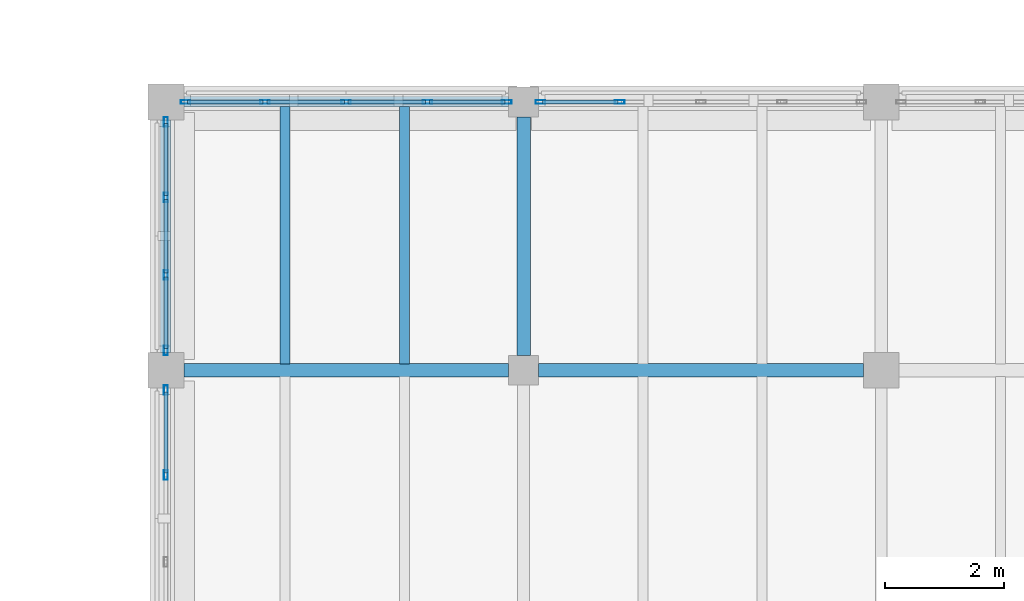
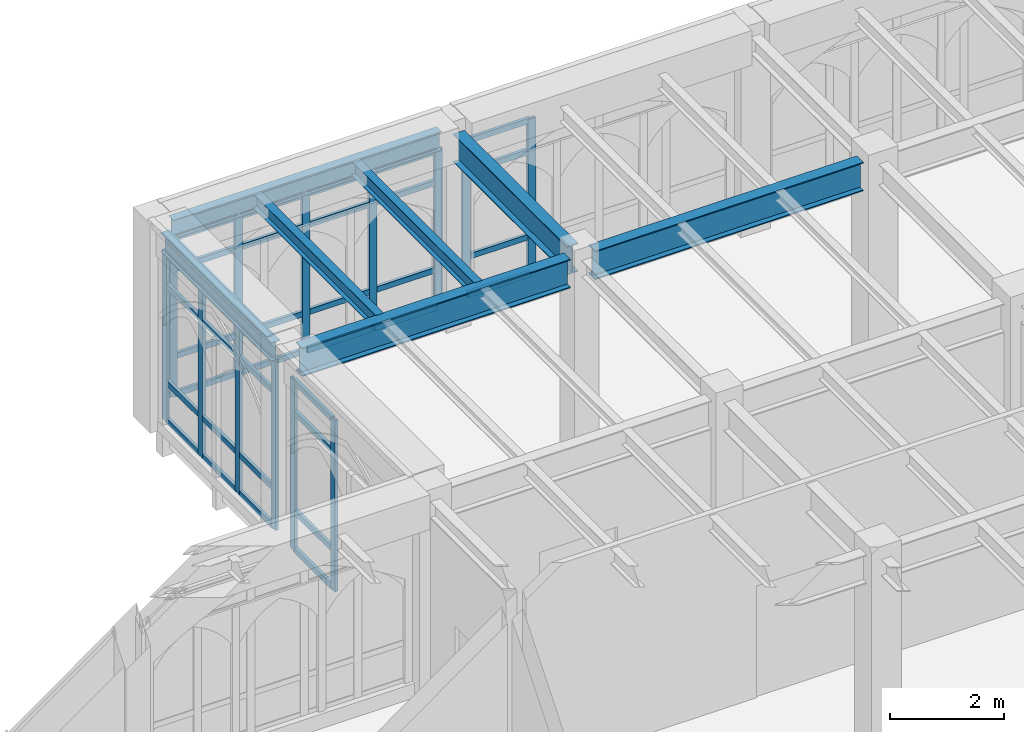
# One storey, part 33 of 143: 49 members, 7 beams, 4 elements without a shape of their own.
"""IFC4 building model written with IfcOpenShell, lengths in metres."""

from ifc_helpers import new_model, si_unit, direction, frame, origin, origin_2d, place, context, subcontext, project, spatial, hollow_rectangle, i_section, extrude, material, layer, layer_set, material_profile, profile_set, type_object, element, aggregate, save


model = new_model("IFC4")

# Units and contexts
model_context = context("Model", 3, precision=1e-05, world=origin(), true_north=direction((0.0, 1.0)))
body_context = subcontext(model_context, "Body", "Model", "MODEL_VIEW")
ifc_project = project(units=[si_unit("LENGTHUNIT", "METRE"), si_unit("AREAUNIT", "SQUARE_METRE"), si_unit("VOLUMEUNIT", "CUBIC_METRE"), si_unit("PLANEANGLEUNIT", "RADIAN"), si_unit("MASSUNIT", "GRAM", prefix="KILO")], contexts=[model_context])

# Site, building, storey
site_placement = place(None, origin())
site = spatial("IfcSite", under=ifc_project, at=site_placement, CompositionType="ELEMENT")
building_placement = place(site_placement, origin())
building = spatial("IfcBuilding", under=site, at=building_placement, Name="Cumevento Cable Car Station", CompositionType="ELEMENT")
storey_placement = place(building_placement, frame((0.0, 0.0, 9.0)))
storey = spatial("IfcBuildingStorey", under=building, at=storey_placement, Name="L03", CompositionType="ELEMENT", Elevation=9.0)

# Curtain wall, members
ifc_material_1 = material(Name="Anodised Bronze Aluminium AW-6063-T6", Category="aluminium")
ifc_layer_1 = layer(ifc_material_1, 0.18994140625)
ifc_layer_set_1 = layer_set([ifc_layer_1], Name="Anodised Bronze Aluminium AW-6063-T6")
curtain_wall_type_1 = type_object("IfcCurtainWallType", Name="Lancet Curtain Wall CW-06 1250", PredefinedType="NOTDEFINED", material=ifc_layer_set_1)
curtain_wall_1_placement = place(storey_placement, origin())
curtain_wall_1 = element("IfcCurtainWall", 1, at=curtain_wall_1_placement, inside=storey, type_object=curtain_wall_type_1, Name="Lancet Curtain Wall CW-06 L03 #117", PredefinedType="NOTDEFINED")
ifc_material_2 = material(Name="Anodised Bronze Aluminium AW-6063-T6", Category="aluminium")
ifc_material_profile_1 = material_profile(ifc_material_2, hollow_rectangle(XDim=0.06494140625, YDim=0.159912109375, WallThickness=0.00390625, at=origin_2d()), Name="ALUM65x160x4")
ifc_profile_set_1 = profile_set([ifc_material_profile_1], Name="Anodised Bronze Aluminium AW-6063-T6")
member_type_1 = type_object("IfcMemberType", Name="Curtain Mullion CWM-01 ALUM65x160x4", PredefinedType="MULLION", material=ifc_profile_set_1)
member_1_placement = place(storey_placement, frame((52.33251953125, 66.0, 0.409912109375), z_axis=(0.0, 0.0, 1.0), x_axis=(0.0, 1.0, 0.0)))
member_1 = element("IfcMember", 2, at=member_1_placement, type_object=member_type_1, Name="CW-06 mullion 1", PredefinedType="MULLION", context=body_context, shape_type="SweptSolid", body=[
    extrude(hollow_rectangle(XDim=0.06494140625, YDim=0.159912109375, WallThickness=0.00390625, at=origin_2d()), origin(), (0.0, 0.0, 1.0), 3.423095703125),
])
member_2_placement = place(storey_placement, frame((53.66259765625, 66.0, 0.409912109375), z_axis=(0.0, 0.0, 1.0), x_axis=(0.0, 1.0, 0.0)))
member_2 = element("IfcMember", 3, at=member_2_placement, type_object=member_type_1, Name="CW-06 mullion 2", PredefinedType="MULLION", context=body_context, shape_type="SweptSolid", body=[
    extrude(hollow_rectangle(XDim=0.06494140625, YDim=0.159912109375, WallThickness=0.00390625, at=origin_2d()), origin(), (0.0, 0.0, 1.0), 3.423095703125),
])
member_3_placement = place(storey_placement, frame((55.02490234375, 66.0, 0.409912109375), z_axis=(0.0, 0.0, 1.0), x_axis=(0.0, 1.0, 0.0)))
member_3 = element("IfcMember", 4, at=member_3_placement, type_object=member_type_1, Name="CW-06 mullion 3", PredefinedType="MULLION", context=body_context, shape_type="SweptSolid", body=[
    extrude(hollow_rectangle(XDim=0.06494140625, YDim=0.159912109375, WallThickness=0.00390625, at=origin_2d()), origin(), (0.0, 0.0, 1.0), 3.423095703125),
])
member_4_placement = place(storey_placement, frame((56.387451171875, 66.0, 0.409912109375), z_axis=(0.0, 0.0, 1.0), x_axis=(0.0, 1.0, 0.0)))
member_4 = element("IfcMember", 5, at=member_4_placement, type_object=member_type_1, Name="CW-06 mullion 4", PredefinedType="MULLION", context=body_context, shape_type="SweptSolid", body=[
    extrude(hollow_rectangle(XDim=0.06494140625, YDim=0.159912109375, WallThickness=0.00390625, at=origin_2d()), origin(), (0.0, 0.0, 1.0), 3.423095703125),
])
member_5_placement = place(storey_placement, frame((57.717529296875, 66.0, 0.409912109375), z_axis=(0.0, 0.0, 1.0), x_axis=(0.0, 1.0, 0.0)))
member_5 = element("IfcMember", 6, at=member_5_placement, type_object=member_type_1, Name="CW-06 mullion 5", PredefinedType="MULLION", context=body_context, shape_type="SweptSolid", body=[
    extrude(hollow_rectangle(XDim=0.06494140625, YDim=0.159912109375, WallThickness=0.00390625, at=origin_2d()), origin(), (0.0, 0.0, 1.0), 3.423095703125),
])

ifc_material_3 = material(Name="Anodised Bronze Aluminium AW-6063-T6", Category="aluminium")
ifc_layer_2 = layer(ifc_material_3, 0.196044921875)
ifc_layer_set_2 = layer_set([ifc_layer_2], Name="Anodised Bronze Aluminium AW-6063-T6")
curtain_wall_type_2 = type_object("IfcCurtainWallType", Name="Lancet Curtain Wall CW-07 1290", PredefinedType="NOTDEFINED", material=ifc_layer_set_2)
curtain_wall_2_placement = place(storey_placement, origin())
curtain_wall_2 = element("IfcCurtainWall", 7, at=curtain_wall_2_placement, inside=storey, type_object=curtain_wall_type_2, Name="Lancet Curtain Wall CW-07 L03 #118", PredefinedType="NOTDEFINED")
member_6_placement = place(storey_placement, frame((58.282470703125, 66.0, 0.4599609375), z_axis=(0.0, 0.0, 1.0), x_axis=(0.0, 1.0, 0.0)))
member_6 = element("IfcMember", 8, at=member_6_placement, type_object=member_type_1, Name="CW-07 mullion 1", PredefinedType="MULLION", context=body_context, shape_type="SweptSolid", body=[
    extrude(hollow_rectangle(XDim=0.06494140625, YDim=0.159912109375, WallThickness=0.00390625, at=origin_2d()), origin(), (0.0, 0.0, 1.0), 3.373046875),
])
member_7_placement = place(storey_placement, frame((59.612548828125, 66.0, 0.4599609375), z_axis=(0.0, 0.0, 1.0), x_axis=(0.0, 1.0, 0.0)))
member_7 = element("IfcMember", 9, at=member_7_placement, type_object=member_type_1, Name="CW-07 mullion 2", PredefinedType="MULLION", context=body_context, shape_type="SweptSolid", body=[
    extrude(hollow_rectangle(XDim=0.06494140625, YDim=0.159912109375, WallThickness=0.00390625, at=origin_2d()), origin(), (0.0, 0.0, 1.0), 3.373046875),
])

ifc_material_4 = material(Name="Anodised Bronze Aluminium AW-6063-T6", Category="aluminium")
ifc_layer_3 = layer(ifc_material_4, 0.2080078125)
ifc_layer_set_3 = layer_set([ifc_layer_3], Name="Anodised Bronze Aluminium AW-6063-T6")
curtain_wall_type_3 = type_object("IfcCurtainWallType", Name="Lancet Curtain Wall CW-09 1370", PredefinedType="NOTDEFINED", material=ifc_layer_set_3)
curtain_wall_3_placement = place(storey_placement, origin())
curtain_wall_3 = element("IfcCurtainWall", 10, at=curtain_wall_3_placement, inside=storey, type_object=curtain_wall_type_3, Name="Lancet Curtain Wall CW-09 L03 #120", PredefinedType="NOTDEFINED")
member_8_placement = place(storey_placement, frame((52.0, 59.74169921875, 0.159912109375), z_axis=(0.0, 0.0, 1.0), x_axis=(-1.0, 0.0, 0.0)))
member_8 = element("IfcMember", 11, at=member_8_placement, type_object=member_type_1, Name="CW-09 mullion 3", PredefinedType="MULLION", context=body_context, shape_type="SweptSolid", body=[
    extrude(hollow_rectangle(XDim=0.06494140625, YDim=0.159912109375, WallThickness=0.00390625, at=origin_2d()), origin(), (0.0, 0.0, 1.0), 3.673095703125),
])
member_9_placement = place(storey_placement, frame((52.0, 61.16748046875, 0.159912109375), z_axis=(0.0, 0.0, 1.0), x_axis=(-1.0, 0.0, 0.0)))
member_9 = element("IfcMember", 12, at=member_9_placement, type_object=member_type_1, Name="CW-09 mullion 4", PredefinedType="MULLION", context=body_context, shape_type="SweptSolid", body=[
    extrude(hollow_rectangle(XDim=0.06494140625, YDim=0.159912109375, WallThickness=0.00390625, at=origin_2d()), origin(), (0.0, 0.0, 1.0), 3.673095703125),
])

ifc_material_5 = material(Name="Anodised Bronze Aluminium AW-6063-T6", Category="aluminium")
ifc_layer_4 = layer(ifc_material_5, 0.214111328125)
ifc_layer_set_4 = layer_set([ifc_layer_4], Name="Anodised Bronze Aluminium AW-6063-T6")
curtain_wall_type_4 = type_object("IfcCurtainWallType", Name="Lancet Curtain Wall CW-10 1410", PredefinedType="NOTDEFINED", material=ifc_layer_set_4)
curtain_wall_4_placement = place(storey_placement, origin())
curtain_wall_4 = element("IfcCurtainWall", 13, at=curtain_wall_4_placement, inside=storey, type_object=curtain_wall_type_4, Name="Lancet Curtain Wall CW-10 L03 #121", PredefinedType="NOTDEFINED")
member_10_placement = place(storey_placement, frame((52.0, 61.83251953125, 0.2099609375), z_axis=(0.0, 0.0, 1.0), x_axis=(-1.0, 0.0, 0.0)))
member_10 = element("IfcMember", 14, at=member_10_placement, type_object=member_type_1, Name="CW-10 mullion 1", PredefinedType="MULLION", context=body_context, shape_type="SweptSolid", body=[
    extrude(hollow_rectangle(XDim=0.06494140625, YDim=0.159912109375, WallThickness=0.00390625, at=origin_2d()), origin(), (0.0, 0.0, 1.0), 3.623046875),
])
member_11_placement = place(storey_placement, frame((52.0, 63.10009765625, 0.2099609375), z_axis=(0.0, 0.0, 1.0), x_axis=(-1.0, 0.0, 0.0)))
member_11 = element("IfcMember", 15, at=member_11_placement, type_object=member_type_1, Name="CW-10 mullion 2", PredefinedType="MULLION", context=body_context, shape_type="SweptSolid", body=[
    extrude(hollow_rectangle(XDim=0.06494140625, YDim=0.159912109375, WallThickness=0.00390625, at=origin_2d()), origin(), (0.0, 0.0, 1.0), 3.623046875),
])
member_12_placement = place(storey_placement, frame((52.0, 64.39990234375, 0.2099609375), z_axis=(0.0, 0.0, 1.0), x_axis=(-1.0, 0.0, 0.0)))
member_12 = element("IfcMember", 16, at=member_12_placement, type_object=member_type_1, Name="CW-10 mullion 3", PredefinedType="MULLION", context=body_context, shape_type="SweptSolid", body=[
    extrude(hollow_rectangle(XDim=0.06494140625, YDim=0.159912109375, WallThickness=0.00390625, at=origin_2d()), origin(), (0.0, 0.0, 1.0), 3.623046875),
])
member_13_placement = place(storey_placement, frame((52.0, 65.66748046875, 0.2099609375), z_axis=(0.0, 0.0, 1.0), x_axis=(-1.0, 0.0, 0.0)))
member_13 = element("IfcMember", 17, at=member_13_placement, type_object=member_type_1, Name="CW-10 mullion 4", PredefinedType="MULLION", context=body_context, shape_type="SweptSolid", body=[
    extrude(hollow_rectangle(XDim=0.06494140625, YDim=0.159912109375, WallThickness=0.00390625, at=origin_2d()), origin(), (0.0, 0.0, 1.0), 3.623046875),
])

# Member
ifc_material_6 = material(Name="Anodised Bronze Aluminium AW-6063-T6", Category="aluminium")
ifc_material_profile_2 = material_profile(ifc_material_6, hollow_rectangle(XDim=0.06494140625, YDim=0.1201171875, WallThickness=0.00390625, at=origin_2d()), Name="ALUT65x120x4")
ifc_profile_set_2 = profile_set([ifc_material_profile_2], Name="Anodised Bronze Aluminium AW-6063-T6")
member_type_2 = type_object("IfcMemberType", Name="Curtain Transom CWT-01 ALUT65x120x4", PredefinedType="USERDEFINED", material=ifc_profile_set_2)
member_14_placement = place(storey_placement, frame((52.364990234375, 66.0, 0.4423828125), z_axis=(1.0, 0.0, 0.0), x_axis=(0.0, 1.0, 0.0)))
member_14 = element("IfcMember", 18, at=member_14_placement, type_object=member_type_2, Name="CW-06 transom 1.1", ObjectType="TRANSOM", PredefinedType="USERDEFINED", context=body_context, shape_type="SweptSolid", body=[
    extrude(hollow_rectangle(XDim=0.06494140625, YDim=0.1201171875, WallThickness=0.00390625, at=origin_2d()), origin(), (0.0, 0.0, 1.0), 1.264892578125),
])

member_15_placement = place(storey_placement, frame((52.364990234375, 66.0, 1.260009765625), z_axis=(1.0, 0.0, 0.0), x_axis=(0.0, 1.0, 0.0)))
member_15 = element("IfcMember", 19, at=member_15_placement, type_object=member_type_2, Name="CW-06 transom 1.2", ObjectType="TRANSOM", PredefinedType="USERDEFINED", context=body_context, shape_type="SweptSolid", body=[
    extrude(hollow_rectangle(XDim=0.06494140625, YDim=0.1201171875, WallThickness=0.00390625, at=origin_2d()), origin(), (0.0, 0.0, 1.0), 1.264892578125),
])

member_16_placement = place(storey_placement, frame((52.364990234375, 66.0, 3.133056640625), z_axis=(1.0, 0.0, 0.0), x_axis=(0.0, 1.0, 0.0)))
member_16 = element("IfcMember", 20, at=member_16_placement, type_object=member_type_2, Name="CW-06 transom 1.3", ObjectType="TRANSOM", PredefinedType="USERDEFINED", context=body_context, shape_type="SweptSolid", body=[
    extrude(hollow_rectangle(XDim=0.06494140625, YDim=0.1201171875, WallThickness=0.00390625, at=origin_2d()), origin(), (0.0, 0.0, 1.0), 1.264892578125),
])

member_17_placement = place(storey_placement, frame((52.364990234375, 66.0, 3.800537109375), z_axis=(1.0, 0.0, 0.0), x_axis=(0.0, 1.0, 0.0)))
member_17 = element("IfcMember", 21, at=member_17_placement, type_object=member_type_2, Name="CW-06 transom 1.4", ObjectType="TRANSOM", PredefinedType="USERDEFINED", context=body_context, shape_type="SweptSolid", body=[
    extrude(hollow_rectangle(XDim=0.06494140625, YDim=0.1201171875, WallThickness=0.00390625, at=origin_2d()), origin(), (0.0, 0.0, 1.0), 1.264892578125),
])

member_18_placement = place(storey_placement, frame((53.695068359375, 66.0, 0.4423828125), z_axis=(1.0, 0.0, 0.0), x_axis=(0.0, 1.0, 0.0)))
member_18 = element("IfcMember", 22, at=member_18_placement, type_object=member_type_2, Name="CW-06 transom 2.1", ObjectType="TRANSOM", PredefinedType="USERDEFINED", context=body_context, shape_type="SweptSolid", body=[
    extrude(hollow_rectangle(XDim=0.06494140625, YDim=0.1201171875, WallThickness=0.00390625, at=origin_2d()), origin(), (0.0, 0.0, 1.0), 1.29736328125),
])

member_19_placement = place(storey_placement, frame((53.695068359375, 66.0, 1.260009765625), z_axis=(1.0, 0.0, 0.0), x_axis=(0.0, 1.0, 0.0)))
member_19 = element("IfcMember", 23, at=member_19_placement, type_object=member_type_2, Name="CW-06 transom 2.2", ObjectType="TRANSOM", PredefinedType="USERDEFINED", context=body_context, shape_type="SweptSolid", body=[
    extrude(hollow_rectangle(XDim=0.06494140625, YDim=0.1201171875, WallThickness=0.00390625, at=origin_2d()), origin(), (0.0, 0.0, 1.0), 1.29736328125),
])

member_20_placement = place(storey_placement, frame((53.695068359375, 66.0, 3.133056640625), z_axis=(1.0, 0.0, 0.0), x_axis=(0.0, 1.0, 0.0)))
member_20 = element("IfcMember", 24, at=member_20_placement, type_object=member_type_2, Name="CW-06 transom 2.3", ObjectType="TRANSOM", PredefinedType="USERDEFINED", context=body_context, shape_type="SweptSolid", body=[
    extrude(hollow_rectangle(XDim=0.06494140625, YDim=0.1201171875, WallThickness=0.00390625, at=origin_2d()), origin(), (0.0, 0.0, 1.0), 1.29736328125),
])

member_21_placement = place(storey_placement, frame((53.695068359375, 66.0, 3.800537109375), z_axis=(1.0, 0.0, 0.0), x_axis=(0.0, 1.0, 0.0)))
member_21 = element("IfcMember", 25, at=member_21_placement, type_object=member_type_2, Name="CW-06 transom 2.4", ObjectType="TRANSOM", PredefinedType="USERDEFINED", context=body_context, shape_type="SweptSolid", body=[
    extrude(hollow_rectangle(XDim=0.06494140625, YDim=0.1201171875, WallThickness=0.00390625, at=origin_2d()), origin(), (0.0, 0.0, 1.0), 1.29736328125),
])

member_22_placement = place(storey_placement, frame((55.0576171875, 66.0, 0.4423828125), z_axis=(1.0, 0.0, 0.0), x_axis=(0.0, 1.0, 0.0)))
member_22 = element("IfcMember", 26, at=member_22_placement, type_object=member_type_2, Name="CW-06 transom 3.1", ObjectType="TRANSOM", PredefinedType="USERDEFINED", context=body_context, shape_type="SweptSolid", body=[
    extrude(hollow_rectangle(XDim=0.06494140625, YDim=0.1201171875, WallThickness=0.00390625, at=origin_2d()), origin(), (0.0, 0.0, 1.0), 1.29736328125),
])

member_23_placement = place(storey_placement, frame((55.0576171875, 66.0, 1.260009765625), z_axis=(1.0, 0.0, 0.0), x_axis=(0.0, 1.0, 0.0)))
member_23 = element("IfcMember", 27, at=member_23_placement, type_object=member_type_2, Name="CW-06 transom 3.2", ObjectType="TRANSOM", PredefinedType="USERDEFINED", context=body_context, shape_type="SweptSolid", body=[
    extrude(hollow_rectangle(XDim=0.06494140625, YDim=0.1201171875, WallThickness=0.00390625, at=origin_2d()), origin(), (0.0, 0.0, 1.0), 1.29736328125),
])

member_24_placement = place(storey_placement, frame((55.0576171875, 66.0, 3.133056640625), z_axis=(1.0, 0.0, 0.0), x_axis=(0.0, 1.0, 0.0)))
member_24 = element("IfcMember", 28, at=member_24_placement, type_object=member_type_2, Name="CW-06 transom 3.3", ObjectType="TRANSOM", PredefinedType="USERDEFINED", context=body_context, shape_type="SweptSolid", body=[
    extrude(hollow_rectangle(XDim=0.06494140625, YDim=0.1201171875, WallThickness=0.00390625, at=origin_2d()), origin(), (0.0, 0.0, 1.0), 1.29736328125),
])

member_25_placement = place(storey_placement, frame((55.0576171875, 66.0, 3.800537109375), z_axis=(1.0, 0.0, 0.0), x_axis=(0.0, 1.0, 0.0)))
member_25 = element("IfcMember", 29, at=member_25_placement, type_object=member_type_2, Name="CW-06 transom 3.4", ObjectType="TRANSOM", PredefinedType="USERDEFINED", context=body_context, shape_type="SweptSolid", body=[
    extrude(hollow_rectangle(XDim=0.06494140625, YDim=0.1201171875, WallThickness=0.00390625, at=origin_2d()), origin(), (0.0, 0.0, 1.0), 1.29736328125),
])

member_26_placement = place(storey_placement, frame((56.419921875, 66.0, 0.4423828125), z_axis=(1.0, 0.0, 0.0), x_axis=(0.0, 1.0, 0.0)))
member_26 = element("IfcMember", 30, at=member_26_placement, type_object=member_type_2, Name="CW-06 transom 4.1", ObjectType="TRANSOM", PredefinedType="USERDEFINED", context=body_context, shape_type="SweptSolid", body=[
    extrude(hollow_rectangle(XDim=0.06494140625, YDim=0.1201171875, WallThickness=0.00390625, at=origin_2d()), origin(), (0.0, 0.0, 1.0), 1.26513671875),
])

member_27_placement = place(storey_placement, frame((56.419921875, 66.0, 1.260009765625), z_axis=(1.0, 0.0, 0.0), x_axis=(0.0, 1.0, 0.0)))
member_27 = element("IfcMember", 31, at=member_27_placement, type_object=member_type_2, Name="CW-06 transom 4.2", ObjectType="TRANSOM", PredefinedType="USERDEFINED", context=body_context, shape_type="SweptSolid", body=[
    extrude(hollow_rectangle(XDim=0.06494140625, YDim=0.1201171875, WallThickness=0.00390625, at=origin_2d()), origin(), (0.0, 0.0, 1.0), 1.26513671875),
])

member_28_placement = place(storey_placement, frame((56.419921875, 66.0, 3.133056640625), z_axis=(1.0, 0.0, 0.0), x_axis=(0.0, 1.0, 0.0)))
member_28 = element("IfcMember", 32, at=member_28_placement, type_object=member_type_2, Name="CW-06 transom 4.3", ObjectType="TRANSOM", PredefinedType="USERDEFINED", context=body_context, shape_type="SweptSolid", body=[
    extrude(hollow_rectangle(XDim=0.06494140625, YDim=0.1201171875, WallThickness=0.00390625, at=origin_2d()), origin(), (0.0, 0.0, 1.0), 1.26513671875),
])

member_29_placement = place(storey_placement, frame((56.419921875, 66.0, 3.800537109375), z_axis=(1.0, 0.0, 0.0), x_axis=(0.0, 1.0, 0.0)))
member_29 = element("IfcMember", 33, at=member_29_placement, type_object=member_type_2, Name="CW-06 transom 4.4", ObjectType="TRANSOM", PredefinedType="USERDEFINED", context=body_context, shape_type="SweptSolid", body=[
    extrude(hollow_rectangle(XDim=0.06494140625, YDim=0.1201171875, WallThickness=0.00390625, at=origin_2d()), origin(), (0.0, 0.0, 1.0), 1.26513671875),
])

aggregate(curtain_wall_1, [member_1, member_2, member_3, member_4, member_5, member_14, member_15, member_16, member_17, member_18, member_19, member_20, member_21, member_22, member_23, member_24, member_25, member_26, member_27, member_28, member_29])

member_30_placement = place(storey_placement, frame((58.31494140625, 66.0, 0.492431640625), z_axis=(1.0, 0.0, 0.0), x_axis=(0.0, 1.0, 0.0)))
member_30 = element("IfcMember", 34, at=member_30_placement, type_object=member_type_2, Name="CW-07 transom 1.1", ObjectType="TRANSOM", PredefinedType="USERDEFINED", context=body_context, shape_type="SweptSolid", body=[
    extrude(hollow_rectangle(XDim=0.06494140625, YDim=0.1201171875, WallThickness=0.00390625, at=origin_2d()), origin(), (0.0, 0.0, 1.0), 1.26513671875),
])

member_31_placement = place(storey_placement, frame((58.31494140625, 66.0, 1.31005859375), z_axis=(1.0, 0.0, 0.0), x_axis=(0.0, 1.0, 0.0)))
member_31 = element("IfcMember", 35, at=member_31_placement, type_object=member_type_2, Name="CW-07 transom 1.2", ObjectType="TRANSOM", PredefinedType="USERDEFINED", context=body_context, shape_type="SweptSolid", body=[
    extrude(hollow_rectangle(XDim=0.06494140625, YDim=0.1201171875, WallThickness=0.00390625, at=origin_2d()), origin(), (0.0, 0.0, 1.0), 1.26513671875),
])

member_32_placement = place(storey_placement, frame((58.31494140625, 66.0, 3.133056640625), z_axis=(1.0, 0.0, 0.0), x_axis=(0.0, 1.0, 0.0)))
member_32 = element("IfcMember", 36, at=member_32_placement, type_object=member_type_2, Name="CW-07 transom 1.3", ObjectType="TRANSOM", PredefinedType="USERDEFINED", context=body_context, shape_type="SweptSolid", body=[
    extrude(hollow_rectangle(XDim=0.06494140625, YDim=0.1201171875, WallThickness=0.00390625, at=origin_2d()), origin(), (0.0, 0.0, 1.0), 1.26513671875),
])

member_33_placement = place(storey_placement, frame((58.31494140625, 66.0, 3.800537109375), z_axis=(1.0, 0.0, 0.0), x_axis=(0.0, 1.0, 0.0)))
member_33 = element("IfcMember", 37, at=member_33_placement, type_object=member_type_2, Name="CW-07 transom 1.4", ObjectType="TRANSOM", PredefinedType="USERDEFINED", context=body_context, shape_type="SweptSolid", body=[
    extrude(hollow_rectangle(XDim=0.06494140625, YDim=0.1201171875, WallThickness=0.00390625, at=origin_2d()), origin(), (0.0, 0.0, 1.0), 1.26513671875),
])

aggregate(curtain_wall_2, [member_6, member_7, member_30, member_31, member_32, member_33])

member_34_placement = place(storey_placement, frame((52.0, 59.774169921875, 0.1923828125), z_axis=(0.0, 1.0, 0.0), x_axis=(-1.0, 0.0, 0.0)))
member_34 = element("IfcMember", 38, at=member_34_placement, type_object=member_type_2, Name="CW-09 transom 3.1", ObjectType="TRANSOM", PredefinedType="USERDEFINED", context=body_context, shape_type="SweptSolid", body=[
    extrude(hollow_rectangle(XDim=0.06494140625, YDim=0.1201171875, WallThickness=0.00390625, at=origin_2d()), origin(), (0.0, 0.0, 1.0), 1.36083984375),
])

member_35_placement = place(storey_placement, frame((52.0, 59.774169921875, 1.010009765625), z_axis=(0.0, 1.0, 0.0), x_axis=(-1.0, 0.0, 0.0)))
member_35 = element("IfcMember", 39, at=member_35_placement, type_object=member_type_2, Name="CW-09 transom 3.2", ObjectType="TRANSOM", PredefinedType="USERDEFINED", context=body_context, shape_type="SweptSolid", body=[
    extrude(hollow_rectangle(XDim=0.06494140625, YDim=0.1201171875, WallThickness=0.00390625, at=origin_2d()), origin(), (0.0, 0.0, 1.0), 1.36083984375),
])

member_36_placement = place(storey_placement, frame((52.0, 59.774169921875, 3.133056640625), z_axis=(0.0, 1.0, 0.0), x_axis=(-1.0, 0.0, 0.0)))
member_36 = element("IfcMember", 40, at=member_36_placement, type_object=member_type_2, Name="CW-09 transom 3.3", ObjectType="TRANSOM", PredefinedType="USERDEFINED", context=body_context, shape_type="SweptSolid", body=[
    extrude(hollow_rectangle(XDim=0.06494140625, YDim=0.1201171875, WallThickness=0.00390625, at=origin_2d()), origin(), (0.0, 0.0, 1.0), 1.36083984375),
])

member_37_placement = place(storey_placement, frame((52.0, 59.774169921875, 3.800537109375), z_axis=(0.0, 1.0, 0.0), x_axis=(-1.0, 0.0, 0.0)))
member_37 = element("IfcMember", 41, at=member_37_placement, type_object=member_type_2, Name="CW-09 transom 3.4", ObjectType="TRANSOM", PredefinedType="USERDEFINED", context=body_context, shape_type="SweptSolid", body=[
    extrude(hollow_rectangle(XDim=0.06494140625, YDim=0.1201171875, WallThickness=0.00390625, at=origin_2d()), origin(), (0.0, 0.0, 1.0), 1.36083984375),
])

aggregate(curtain_wall_3, [member_8, member_9, member_34, member_35, member_36, member_37])

member_38_placement = place(storey_placement, frame((52.0, 61.864990234375, 0.242431640625), z_axis=(0.0, 1.0, 0.0), x_axis=(-1.0, 0.0, 0.0)))
member_38 = element("IfcMember", 42, at=member_38_placement, type_object=member_type_2, Name="CW-10 transom 1.1", ObjectType="TRANSOM", PredefinedType="USERDEFINED", context=body_context, shape_type="SweptSolid", body=[
    extrude(hollow_rectangle(XDim=0.06494140625, YDim=0.1201171875, WallThickness=0.00390625, at=origin_2d()), origin(), (0.0, 0.0, 1.0), 1.202392578125),
])

member_39_placement = place(storey_placement, frame((52.0, 61.864990234375, 1.06005859375), z_axis=(0.0, 1.0, 0.0), x_axis=(-1.0, 0.0, 0.0)))
member_39 = element("IfcMember", 43, at=member_39_placement, type_object=member_type_2, Name="CW-10 transom 1.2", ObjectType="TRANSOM", PredefinedType="USERDEFINED", context=body_context, shape_type="SweptSolid", body=[
    extrude(hollow_rectangle(XDim=0.06494140625, YDim=0.1201171875, WallThickness=0.00390625, at=origin_2d()), origin(), (0.0, 0.0, 1.0), 1.202392578125),
])

member_40_placement = place(storey_placement, frame((52.0, 61.864990234375, 3.133056640625), z_axis=(0.0, 1.0, 0.0), x_axis=(-1.0, 0.0, 0.0)))
member_40 = element("IfcMember", 44, at=member_40_placement, type_object=member_type_2, Name="CW-10 transom 1.3", ObjectType="TRANSOM", PredefinedType="USERDEFINED", context=body_context, shape_type="SweptSolid", body=[
    extrude(hollow_rectangle(XDim=0.06494140625, YDim=0.1201171875, WallThickness=0.00390625, at=origin_2d()), origin(), (0.0, 0.0, 1.0), 1.202392578125),
])

member_41_placement = place(storey_placement, frame((52.0, 61.864990234375, 3.800537109375), z_axis=(0.0, 1.0, 0.0), x_axis=(-1.0, 0.0, 0.0)))
member_41 = element("IfcMember", 45, at=member_41_placement, type_object=member_type_2, Name="CW-10 transom 1.4", ObjectType="TRANSOM", PredefinedType="USERDEFINED", context=body_context, shape_type="SweptSolid", body=[
    extrude(hollow_rectangle(XDim=0.06494140625, YDim=0.1201171875, WallThickness=0.00390625, at=origin_2d()), origin(), (0.0, 0.0, 1.0), 1.202392578125),
])

member_42_placement = place(storey_placement, frame((52.0, 63.132568359375, 0.242431640625), z_axis=(0.0, 1.0, 0.0), x_axis=(-1.0, 0.0, 0.0)))
member_42 = element("IfcMember", 46, at=member_42_placement, type_object=member_type_2, Name="CW-10 transom 2.1", ObjectType="TRANSOM", PredefinedType="USERDEFINED", context=body_context, shape_type="SweptSolid", body=[
    extrude(hollow_rectangle(XDim=0.06494140625, YDim=0.1201171875, WallThickness=0.00390625, at=origin_2d()), origin(), (0.0, 0.0, 1.0), 1.23486328125),
])

member_43_placement = place(storey_placement, frame((52.0, 63.132568359375, 1.06005859375), z_axis=(0.0, 1.0, 0.0), x_axis=(-1.0, 0.0, 0.0)))
member_43 = element("IfcMember", 47, at=member_43_placement, type_object=member_type_2, Name="CW-10 transom 2.2", ObjectType="TRANSOM", PredefinedType="USERDEFINED", context=body_context, shape_type="SweptSolid", body=[
    extrude(hollow_rectangle(XDim=0.06494140625, YDim=0.1201171875, WallThickness=0.00390625, at=origin_2d()), origin(), (0.0, 0.0, 1.0), 1.23486328125),
])

member_44_placement = place(storey_placement, frame((52.0, 63.132568359375, 3.133056640625), z_axis=(0.0, 1.0, 0.0), x_axis=(-1.0, 0.0, 0.0)))
member_44 = element("IfcMember", 48, at=member_44_placement, type_object=member_type_2, Name="CW-10 transom 2.3", ObjectType="TRANSOM", PredefinedType="USERDEFINED", context=body_context, shape_type="SweptSolid", body=[
    extrude(hollow_rectangle(XDim=0.06494140625, YDim=0.1201171875, WallThickness=0.00390625, at=origin_2d()), origin(), (0.0, 0.0, 1.0), 1.23486328125),
])

member_45_placement = place(storey_placement, frame((52.0, 63.132568359375, 3.800537109375), z_axis=(0.0, 1.0, 0.0), x_axis=(-1.0, 0.0, 0.0)))
member_45 = element("IfcMember", 49, at=member_45_placement, type_object=member_type_2, Name="CW-10 transom 2.4", ObjectType="TRANSOM", PredefinedType="USERDEFINED", context=body_context, shape_type="SweptSolid", body=[
    extrude(hollow_rectangle(XDim=0.06494140625, YDim=0.1201171875, WallThickness=0.00390625, at=origin_2d()), origin(), (0.0, 0.0, 1.0), 1.23486328125),
])

member_46_placement = place(storey_placement, frame((52.0, 64.4326171875, 0.242431640625), z_axis=(0.0, 1.0, 0.0), x_axis=(-1.0, 0.0, 0.0)))
member_46 = element("IfcMember", 50, at=member_46_placement, type_object=member_type_2, Name="CW-10 transom 3.1", ObjectType="TRANSOM", PredefinedType="USERDEFINED", context=body_context, shape_type="SweptSolid", body=[
    extrude(hollow_rectangle(XDim=0.06494140625, YDim=0.1201171875, WallThickness=0.00390625, at=origin_2d()), origin(), (0.0, 0.0, 1.0), 1.202392578125),
])

member_47_placement = place(storey_placement, frame((52.0, 64.4326171875, 1.06005859375), z_axis=(0.0, 1.0, 0.0), x_axis=(-1.0, 0.0, 0.0)))
member_47 = element("IfcMember", 51, at=member_47_placement, type_object=member_type_2, Name="CW-10 transom 3.2", ObjectType="TRANSOM", PredefinedType="USERDEFINED", context=body_context, shape_type="SweptSolid", body=[
    extrude(hollow_rectangle(XDim=0.06494140625, YDim=0.1201171875, WallThickness=0.00390625, at=origin_2d()), origin(), (0.0, 0.0, 1.0), 1.202392578125),
])

member_48_placement = place(storey_placement, frame((52.0, 64.4326171875, 3.133056640625), z_axis=(0.0, 1.0, 0.0), x_axis=(-1.0, 0.0, 0.0)))
member_48 = element("IfcMember", 52, at=member_48_placement, type_object=member_type_2, Name="CW-10 transom 3.3", ObjectType="TRANSOM", PredefinedType="USERDEFINED", context=body_context, shape_type="SweptSolid", body=[
    extrude(hollow_rectangle(XDim=0.06494140625, YDim=0.1201171875, WallThickness=0.00390625, at=origin_2d()), origin(), (0.0, 0.0, 1.0), 1.202392578125),
])

member_49_placement = place(storey_placement, frame((52.0, 64.4326171875, 3.800537109375), z_axis=(0.0, 1.0, 0.0), x_axis=(-1.0, 0.0, 0.0)))
member_49 = element("IfcMember", 53, at=member_49_placement, type_object=member_type_2, Name="CW-10 transom 3.4", ObjectType="TRANSOM", PredefinedType="USERDEFINED", context=body_context, shape_type="SweptSolid", body=[
    extrude(hollow_rectangle(XDim=0.06494140625, YDim=0.1201171875, WallThickness=0.00390625, at=origin_2d()), origin(), (0.0, 0.0, 1.0), 1.202392578125),
])

aggregate(curtain_wall_4, [member_10, member_11, member_12, member_13, member_38, member_39, member_40, member_41, member_42, member_43, member_44, member_45, member_46, member_47, member_48, member_49])

# Beams
ifc_material_7 = material(Name="Steel ASTM A572 Grade 50", Category="steel")
ifc_material_profile_3 = material_profile(ifc_material_7, i_section(OverallWidth=0.22998046875, OverallDepth=0.616943359375, WebThickness=0.01318359375, FlangeThickness=0.022216796875, at=origin_2d()), Name="W610x140.0")
ifc_profile_set_3 = profile_set([ifc_material_profile_3], Name="Steel ASTM A572 Grade 50")
beam_type_1 = type_object("IfcBeamType", Name="Structural Beam BM-01 W610x140.0", PredefinedType="BEAM", material=ifc_profile_set_3)
for number, where, z_axis, x_axis, name in (
    (54, (52.300048828125, 61.5, 3.931396484375), (1.0, 0.0, 0.0), (0.0, 1.0, 0.0), "Beam BM-01 L03 #1108"),
    (55, (58.25, 61.5, 3.931396484375), (1.0, 0.0, 0.0), (0.0, 1.0, 0.0), "Beam BM-01 L03 #1109"),
):
    element("IfcBeam", number, at=place(storey_placement, frame(where, z_axis=z_axis, x_axis=x_axis)), inside=storey, type_object=beam_type_1, Name=name, PredefinedType="BEAM", context=body_context, shape_type="SweptSolid", body=[
        extrude(i_section(OverallWidth=0.22998046875, OverallDepth=0.616943359375, WebThickness=0.01318359375, FlangeThickness=0.022216796875, at=origin_2d()), origin(), (0.0, 0.0, 1.0), 5.449951171875),
    ])
ifc_material_8 = material(Name="Steel ASTM A572 Grade 50", Category="steel")
ifc_material_profile_4 = material_profile(ifc_material_8, i_section(OverallWidth=0.22802734375, OverallDepth=0.60791015625, WebThickness=0.01123046875, FlangeThickness=0.017333984375, at=origin_2d()), Name="W610x113.0")
ifc_profile_set_4 = profile_set([ifc_material_profile_4], Name="Steel ASTM A572 Grade 50")
beam_type_2 = type_object("IfcBeamType", Name="Structural Beam BM-02 W610x113.0", PredefinedType="BEAM", material=ifc_profile_set_4)
beam_1_placement = place(storey_placement, frame((58.0, 61.75, 3.93603515625), z_axis=(0.0, 1.0, 0.0), x_axis=(-1.0, 0.0, 0.0)))
element("IfcBeam", 56, at=beam_1_placement, inside=storey, type_object=beam_type_2, Name="Beam BM-02 L03 #1117", PredefinedType="BEAM", context=body_context, shape_type="SweptSolid", body=[
    extrude(i_section(OverallWidth=0.22802734375, OverallDepth=0.60791015625, WebThickness=0.01123046875, FlangeThickness=0.017333984375, at=origin_2d()), origin(), (0.0, 0.0, 1.0), 4.0),
])
ifc_material_9 = material(Name="Steel ASTM A572 Grade 50", Category="steel")
ifc_material_profile_5 = material_profile(ifc_material_9, i_section(OverallWidth=0.1650390625, OverallDepth=0.31005859375, WebThickness=0.005859375, FlangeThickness=0.009765625, at=origin_2d()), Name="W310x38.7")
ifc_profile_set_5 = profile_set([ifc_material_profile_5], Name="Steel ASTM A572 Grade 50")
beam_type_3 = type_object("IfcBeamType", Name="Structural Joist JS-03 W310x38.7", PredefinedType="JOIST", material=ifc_profile_set_5)
for number, where, z_axis, x_axis, name in (
    (57, (54.0, 61.60302734375, 4.0849609375), (0.0, 1.0, 0.0), (-1.0, 0.0, 0.0), "Composite Floor Joist JS-03 L03 #1285"),
    (58, (56.0, 61.60302734375, 4.0849609375), (0.0, 1.0, 0.0), (-1.0, 0.0, 0.0), "Composite Floor Joist JS-03 L03 #1287"),
):
    element("IfcBeam", number, at=place(storey_placement, frame(where, z_axis=z_axis, x_axis=x_axis)), inside=storey, type_object=beam_type_3, Name=name, PredefinedType="JOIST", context=body_context, shape_type="SweptSolid", body=[
        extrude(i_section(OverallWidth=0.1650390625, OverallDepth=0.31005859375, WebThickness=0.005859375, FlangeThickness=0.009765625, at=origin_2d()), origin(), (0.0, 0.0, 1.0), 4.320068359375),
    ])
ifc_material_10 = material(Name="Steel ASTM A572 Grade 50", Category="steel")
ifc_material_profile_6 = material_profile(ifc_material_10, i_section(OverallWidth=0.177978515625, OverallDepth=0.406982421875, WebThickness=0.0078125, FlangeThickness=0.0126953125, at=origin_2d()), Name="W410x60.0")
ifc_profile_set_6 = profile_set([ifc_material_profile_6], Name="Steel ASTM A572 Grade 50")
beam_type_4 = type_object("IfcBeamType", Name="Structural Spandrel SP-01 W410x60.0", PredefinedType="SPANDREL", material=ifc_profile_set_6)
beam_2_placement = place(storey_placement, frame((52.300048828125, 66.0, 4.03662109375), z_axis=(1.0, 0.0, 0.0), x_axis=(0.0, 1.0, 0.0)))
element("IfcBeam", 59, at=beam_2_placement, inside=storey, type_object=beam_type_4, Name="Beam SP-01 L03 #1111", PredefinedType="SPANDREL", context=body_context, shape_type="SweptSolid", body=[
    extrude(i_section(OverallWidth=0.177978515625, OverallDepth=0.406982421875, WebThickness=0.0078125, FlangeThickness=0.0126953125, at=origin_2d()), origin(), (0.0, 0.0, 1.0), 5.449951171875),
])
beam_3_placement = place(storey_placement, frame((52.0, 61.800048828125, 4.03662109375), z_axis=(0.0, 1.0, 0.0), x_axis=(-1.0, 0.0, 0.0)))
element("IfcBeam", 60, at=beam_3_placement, inside=storey, type_object=beam_type_4, Name="Beam SP-01 L03 #1115", PredefinedType="SPANDREL", context=body_context, shape_type="SweptSolid", body=[
    extrude(i_section(OverallWidth=0.177978515625, OverallDepth=0.406982421875, WebThickness=0.0078125, FlangeThickness=0.0126953125, at=origin_2d()), origin(), (0.0, 0.0, 1.0), 3.89990234375),
])

save(model, "model.ifc")
